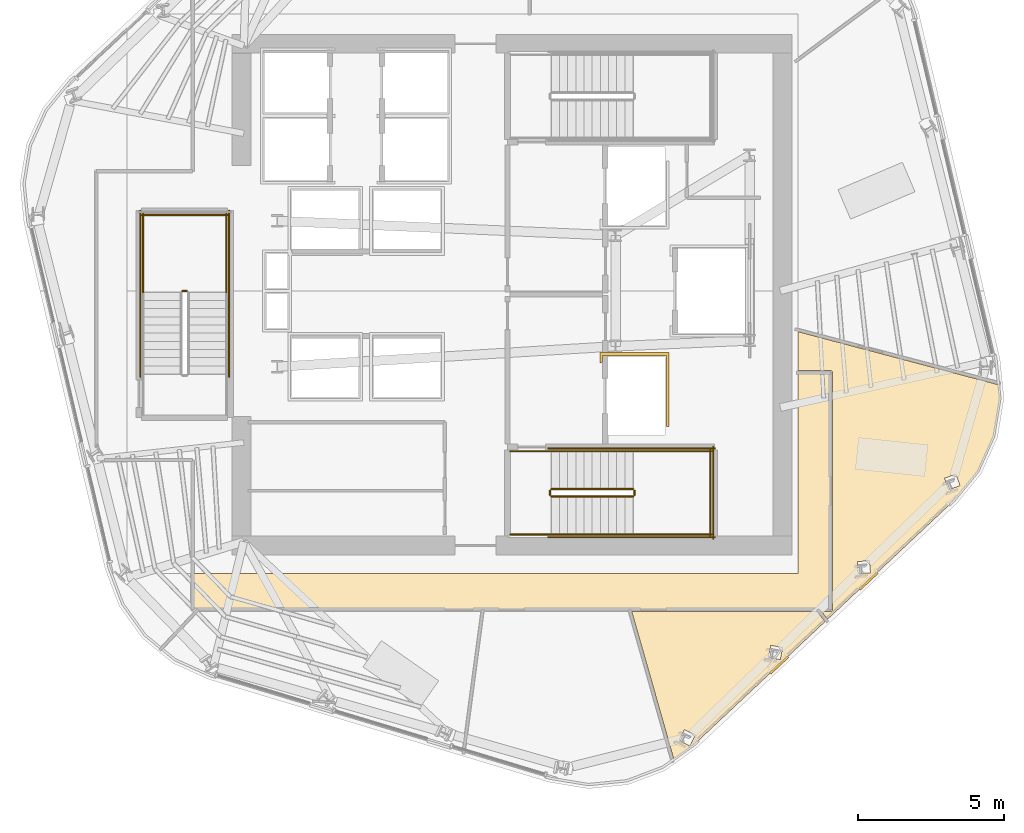
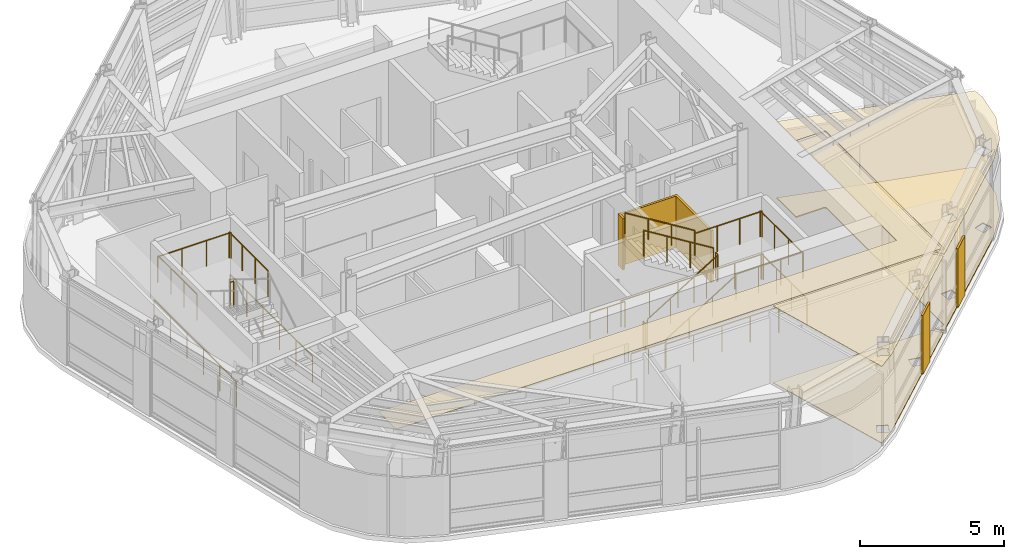
# One storey, part 11 of 14: 20 railings, 8 coverings.
"""IFC4 building model written with IfcOpenShell, lengths in metres."""

from ifc_helpers import new_model, si_unit, direction, frame, origin, origin_2d, place, context, subcontext, project, spatial, polyline, circle, outline, extrude, material, layer, layer_set, type_object, element, save


model = new_model("IFC4")

# Units and contexts
model_context = context("Model", 3, precision=1e-05, world=origin(), true_north=direction((0.0, 1.0)))
body_context = subcontext(model_context, "Body", "Model", "MODEL_VIEW")
ifc_project = project(units=[si_unit("LENGTHUNIT", "METRE"), si_unit("AREAUNIT", "SQUARE_METRE"), si_unit("VOLUMEUNIT", "CUBIC_METRE"), si_unit("PLANEANGLEUNIT", "RADIAN"), si_unit("MASSUNIT", "GRAM", prefix="KILO")], contexts=[model_context])

# Site, building, storey
site_placement = place(None, origin())
site = spatial("IfcSite", under=ifc_project, at=site_placement, CompositionType="ELEMENT")
building_placement = place(site_placement, origin())
building = spatial("IfcBuilding", under=site, at=building_placement, Name="Valkerne Bourse Tower", CompositionType="ELEMENT")
storey_placement = place(building_placement, frame((0.0, 0.0, 209.39990234375)))
storey = spatial("IfcBuildingStorey", under=building, at=storey_placement, Name="L53", CompositionType="ELEMENT", Elevation=209.39990234375)

# Coverings
ifc_material_1 = material(Name="Mineral Fiber Acoustic Ceiling Tile", Category="acoustic")
ifc_layer_1 = layer(ifc_material_1, 0.02490234375)
ifc_layer_set_1 = layer_set([ifc_layer_1], Name="Mineral Fiber Acoustic Ceiling Tile")
covering_type_1 = type_object("IfcCoveringType", Name="COV-CEIL-ACT", PredefinedType="CEILING", material=ifc_layer_set_1)
covering_1_placement = place(storey_placement, frame((0.0, 0.0, 3.25)))
element("IfcCovering", 1, at=covering_1_placement, inside=storey, type_object=covering_type_1, Name="L53 Suspended Ceiling 04", PredefinedType="CEILING", context=body_context, shape_type="SweptSolid", body=[
    extrude(outline(polyline([(50.905029296875, 16.010986328125), (57.253662109375, 16.010986328125), (57.54052734375, 15.66162109375), (53.052734375, 11.447509765625), (52.34912109375, 10.941650390625), (50.905029296875, 16.010986328125)]), holes=[polyline([(53.08203125, 11.773193359375), (52.711669921875, 11.9521484375), (52.70947265625, 11.951171875), (52.5302734375, 11.578125), (52.900634765625, 11.399169921875), (52.90283203125, 11.39990234375), (53.08203125, 11.773193359375)]), polyline([(56.07958984375, 14.764404296875), (55.67578125, 14.843505859375), (55.673828125, 14.84228515625), (55.594970703125, 14.435791015625), (55.998779296875, 14.356689453125), (56.000732421875, 14.35791015625), (56.07958984375, 14.764404296875)])]), origin(), (0.0, 0.0, 1.0), 0.025146484375),
])
covering_2_placement = place(storey_placement, frame((0.0, 0.0, 3.25)))
element("IfcCovering", 2, at=covering_2_placement, inside=storey, type_object=covering_type_1, Name="L53 Suspended Ceiling 07", PredefinedType="CEILING", context=body_context, shape_type="SweptSolid", body=[
    extrude(outline(polyline([(62.77099609375, 20.811279296875), (61.92919921875, 19.782958984375), (57.626708984375, 15.74267578125), (57.406494140625, 16.010986328125), (57.73095703125, 16.01171875), (57.771728515625, 16.033935546875), (57.788818359375, 16.076416015625), (57.788330078125, 24.210205078125), (57.76611328125, 24.251708984375), (57.723388671875, 24.268798828125), (56.60009765625, 24.26904296875), (56.60009765625, 25.603271484375), (63.48095703125, 23.781494140625), (63.52734375, 23.31640625), (63.314208984375, 22.01416015625), (62.77099609375, 20.811279296875)]), holes=[polyline([(59.091552734375, 17.336181640625), (59.056884765625, 17.74853515625), (58.646728515625, 17.71484375), (58.645263671875, 17.713134765625), (58.679931640625, 17.30078125), (59.090087890625, 17.334228515625), (59.091552734375, 17.336181640625)]), polyline([(62.1630859375, 20.323486328125), (62.02490234375, 20.71337890625), (61.636962890625, 20.5771484375), (61.635986328125, 20.574951171875), (61.77392578125, 20.184814453125), (62.162109375, 20.3212890625), (62.1630859375, 20.323486328125)])]), origin(), (0.0, 0.0, 1.0), 0.025146484375),
])
ifc_material_2 = material(Name="Bronze Anodised Aluminium AA 6063-T6", Category="aluminium")
ifc_layer_2 = layer(ifc_material_2, 0.030029296875)
ifc_layer_set_2 = layer_set([ifc_layer_2], Name="Bronze Anodised Aluminium AA 6063-T6")
covering_type_2 = type_object("IfcCoveringType", Name="COV-CEIL-METAL", PredefinedType="CEILING", material=ifc_layer_set_2)
covering_3_placement = place(storey_placement, frame((0.0, 0.0, 3.25)))
element("IfcCovering", 3, at=covering_3_placement, inside=storey, type_object=covering_type_2, Name="L53 Suspended Ceiling 01", PredefinedType="CEILING", context=body_context, shape_type="SweptSolid", body=[
    extrude(outline(polyline([(35.85400390625, 17.300048828125), (56.60009765625, 17.300048828125), (56.60009765625, 24.196044921875), (57.716064453125, 24.196044921875), (57.716064453125, 16.083984375), (35.85400390625, 16.083984375), (35.85400390625, 17.300048828125)])), origin(), (0.0, 0.0, 1.0), 0.025146484375),
])
ifc_layer_3 = layer(ifc_material_2, 0.06005859375)
ifc_layer_set_3 = layer_set([ifc_layer_3], Name="Bronze Anodised Aluminium AA 6063-T6")
covering_type_3 = type_object("IfcCoveringType", Name="COV-CRN-ALUM", PredefinedType="CLADDING", material=ifc_layer_set_3)
covering_4_placement = place(storey_placement, origin())
element("IfcCovering", 4, at=covering_4_placement, inside=storey, type_object=covering_type_3, Name="L53 Wind-Shaped Corner Aluminium Cladding 02", PredefinedType="CLADDING", context=body_context, shape_type="SweptSolid", body=[
    extrude(outline(polyline([(58.750244140625, 16.7373046875), (58.6953125, 16.795654296875), (59.307861328125, 17.37060546875), (59.362548828125, 17.312255859375), (58.750244140625, 16.7373046875)])), origin(), (0.0, 0.0, 1.0), 2.5),
])
covering_5_placement = place(storey_placement, origin())
element("IfcCovering", 5, at=covering_5_placement, inside=storey, type_object=covering_type_3, Name="L53 Wind-Shaped Corner Aluminium Cladding 03", PredefinedType="CLADDING", context=body_context, shape_type="SweptSolid", body=[
    extrude(outline(polyline([(55.6796875, 13.85400390625), (55.625, 13.912109375), (56.2373046875, 14.4873046875), (56.2919921875, 14.428955078125), (55.6796875, 13.85400390625)])), origin(), (0.0, 0.0, 1.0), 2.5),
])
ifc_material_3 = material(Name="Galvanised Painted Steel", Category="steel")
ifc_layer_4 = layer(ifc_material_3, 0.044921875)
ifc_layer_set_4 = layer_set([ifc_layer_4], Name="Galvanised Painted Steel")
covering_type_4 = type_object("IfcCoveringType", Name="COV-FLR-RAF", PredefinedType="FLOORING", material=ifc_layer_set_4)
covering_6_placement = place(storey_placement, origin())
element("IfcCovering", 6, at=covering_6_placement, inside=storey, type_object=covering_type_4, Name="L53 Floor Finish 07", PredefinedType="FLOORING", context=body_context, shape_type="SweptSolid", body=[
    extrude(outline(polyline([(62.77099609375, 20.811279296875), (61.92919921875, 19.782958984375), (57.626708984375, 15.74267578125), (57.406494140625, 16.010986328125), (57.73095703125, 16.01171875), (57.771728515625, 16.033935546875), (57.788818359375, 16.076416015625), (57.788330078125, 24.210205078125), (57.76611328125, 24.251708984375), (57.723388671875, 24.268798828125), (56.60009765625, 24.26904296875), (56.60009765625, 25.603271484375), (63.48095703125, 23.781494140625), (63.52734375, 23.31640625), (63.314208984375, 22.01416015625), (62.77099609375, 20.811279296875)]), holes=[polyline([(59.091552734375, 17.336181640625), (59.056884765625, 17.74853515625), (58.646728515625, 17.71484375), (58.645263671875, 17.713134765625), (58.679931640625, 17.30078125), (59.090087890625, 17.334228515625), (59.091552734375, 17.336181640625)]), polyline([(62.1630859375, 20.323486328125), (62.02490234375, 20.71337890625), (61.636962890625, 20.5771484375), (61.635986328125, 20.574951171875), (61.77392578125, 20.184814453125), (62.162109375, 20.3212890625), (62.1630859375, 20.323486328125)])]), origin(), (0.0, 0.0, 1.0), 0.045166015625),
])
ifc_material_4 = material(Name="Polished Granite Stone", Category="masonry")
ifc_layer_5 = layer(ifc_material_4, 0.030029296875)
ifc_layer_set_5 = layer_set([ifc_layer_5], Name="Polished Granite Stone")
covering_type_5 = type_object("IfcCoveringType", Name="COV-FLR-TERRAZZO", PredefinedType="FLOORING", material=ifc_layer_set_5)
covering_7_placement = place(storey_placement, origin())
element("IfcCovering", 7, at=covering_7_placement, inside=storey, type_object=covering_type_5, Name="L53 Floor Finish 04", PredefinedType="FLOORING", context=body_context, shape_type="SweptSolid", body=[
    extrude(outline(polyline([(50.905029296875, 16.010986328125), (57.253662109375, 16.010986328125), (57.54052734375, 15.66162109375), (53.052734375, 11.447509765625), (52.34912109375, 10.941650390625), (50.905029296875, 16.010986328125)]), holes=[polyline([(53.08203125, 11.773193359375), (52.711669921875, 11.9521484375), (52.70947265625, 11.951171875), (52.5302734375, 11.578125), (52.900634765625, 11.399169921875), (52.90283203125, 11.39990234375), (53.08203125, 11.773193359375)]), polyline([(56.07958984375, 14.764404296875), (55.67578125, 14.843505859375), (55.673828125, 14.84228515625), (55.594970703125, 14.435791015625), (55.998779296875, 14.356689453125), (56.000732421875, 14.35791015625), (56.07958984375, 14.764404296875)])]), origin(), (0.0, 0.0, 1.0), 0.030029296875),
])
ifc_material_5 = material(Name="Gypsum Shaftwall Liner Board", Category="gypsum")
ifc_layer_6 = layer(ifc_material_5, 0.080078125)
ifc_layer_set_6 = layer_set([ifc_layer_6], Name="Gypsum Shaftwall Liner Board")
covering_type_6 = type_object("IfcCoveringType", Name="COV-SHF-CLAD", PredefinedType="CLADDING", material=ifc_layer_set_6)
covering_8_placement = place(storey_placement, origin())
element("IfcCovering", 8, at=covering_8_placement, inside=storey, type_object=covering_type_6, Name="L53 Hoistway & Riser Shaftwall Liner 05", PredefinedType="CLADDING", context=body_context, shape_type="SweptSolid", body=[
    extrude(outline(polyline([(52.179931640625, 22.35009765625), (52.090087890625, 22.35009765625), (52.090087890625, 24.7900390625), (49.909912109375, 24.7900390625), (49.909912109375, 24.560791015625), (49.869384765625, 24.550537109375), (49.827880859375, 24.53564453125), (49.820068359375, 24.531982421875), (49.820068359375, 24.8798828125), (52.179931640625, 24.8798828125), (52.179931640625, 22.35009765625)])), origin(), (0.0, 0.0, 1.0), 2.18017578125),
])

# Railings
railing_type_1 = type_object("IfcRailingType", Name="RLG-ST-GUARD-1120", PredefinedType="GUARDRAIL", material=ifc_material_3)
railing_1_placement = place(storey_placement, frame((48.14990234375, 19.949951171875, 0.1728515625)))
element("IfcRailing", 9, at=railing_1_placement, inside=storey, type_object=railing_type_1, Name="L53 ST-1 stair guard 1", PredefinedType="GUARDRAIL", context=body_context, shape_type="SweptSolid", body=[
    extrude(circle(Radius=0.02392578125, at=origin_2d()), frame((0.0, 0.0, 1.09619140625), z_axis=(0.851089632645, 0.0, 0.525020415988), x_axis=(0.0, 1.0, 0.0)), (0.0, 0.0, 1.0), 3.2900390625),
    extrude(circle(Radius=0.02099609375, at=origin_2d()), origin(), (0.0, 0.0, 1.0), 1.072021484375),
    extrude(circle(Radius=0.02099609375, at=origin_2d()), frame((0.933349609375, 0.0, 0.57568359375)), (0.0, 0.0, 1.0), 1.072021484375),
    extrude(circle(Radius=0.02099609375, at=origin_2d()), frame((1.86669921875, 0.0, 1.151611328125)), (0.0, 0.0, 1.0), 1.072021484375),
    extrude(circle(Radius=0.02099609375, at=origin_2d()), frame((2.800048828125, 0.0, 1.727294921875)), (0.0, 0.0, 1.0), 1.072021484375),
])
railing_2_placement = place(storey_placement, frame((51.0, 20.0, 1.900146484375)))
element("IfcRailing", 10, at=railing_2_placement, inside=storey, type_object=railing_type_1, Name="L53 ST-1 stair guard 2", PredefinedType="GUARDRAIL", context=body_context, shape_type="SweptSolid", body=[
    extrude(circle(Radius=0.02392578125, at=origin_2d()), frame((0.0, 0.0, 1.09619140625), z_axis=(0.0, 1.0, 0.0), x_axis=(-1.0, 0.0, 0.0)), (0.0, 0.0, 1.0), 0.14990234375),
    extrude(circle(Radius=0.02099609375, at=origin_2d()), origin(), (0.0, 0.0, 1.0), 1.072021484375),
    extrude(circle(Radius=0.02099609375, at=origin_2d()), frame((0.0, 0.14990234375, 0.0)), (0.0, 0.0, 1.0), 1.072021484375),
])
for number, where, name in (
    (11, (50.949951171875, 18.64990234375, 1.900146484375), "L53 ST-1 stair guard 3"),
    (12, (50.949951171875, 21.5, 1.900146484375), "L53 ST-1 stair guard 4"),
):
    element("IfcRailing", number, at=place(storey_placement, frame(where)), inside=storey, type_object=railing_type_1, Name=name, PredefinedType="GUARDRAIL", context=body_context, shape_type="SweptSolid", body=[
        extrude(circle(Radius=0.02392578125, at=origin_2d()), frame((0.0, 0.0, 1.09619140625), z_axis=(1.0, 0.0, 0.0), x_axis=(0.0, 1.0, 0.0)), (0.0, 0.0, 1.0), 2.699951171875),
        extrude(circle(Radius=0.02099609375, at=origin_2d()), origin(), (0.0, 0.0, 1.0), 1.072021484375),
        extrude(circle(Radius=0.02099609375, at=origin_2d()), frame((0.89990234375, 0.0, 0.0)), (0.0, 0.0, 1.0), 1.072021484375),
        extrude(circle(Radius=0.02099609375, at=origin_2d()), frame((1.800048828125, 0.0, 0.0)), (0.0, 0.0, 1.0), 1.072021484375),
        extrude(circle(Radius=0.02099609375, at=origin_2d()), frame((2.699951171875, 0.0, 0.0)), (0.0, 0.0, 1.0), 1.072021484375),
    ])
railing_3_placement = place(storey_placement, frame((53.60009765625, 18.60009765625, 1.900146484375)))
element("IfcRailing", 13, at=railing_3_placement, inside=storey, type_object=railing_type_1, Name="L53 ST-1 stair guard 5", PredefinedType="GUARDRAIL", context=body_context, shape_type="SweptSolid", body=[
    extrude(circle(Radius=0.02392578125, at=origin_2d()), frame((0.0, 0.0, 1.09619140625), z_axis=(0.0, 1.0, 0.0), x_axis=(-1.0, 0.0, 0.0)), (0.0, 0.0, 1.0), 2.949951171875),
    extrude(circle(Radius=0.02099609375, at=origin_2d()), origin(), (0.0, 0.0, 1.0), 1.072021484375),
    extrude(circle(Radius=0.02099609375, at=origin_2d()), frame((0.0, 0.9833984375, 0.0)), (0.0, 0.0, 1.0), 1.072021484375),
    extrude(circle(Radius=0.02099609375, at=origin_2d()), frame((0.0, 1.966552734375, 0.0)), (0.0, 0.0, 1.0), 1.072021484375),
    extrude(circle(Radius=0.02099609375, at=origin_2d()), frame((0.0, 2.949951171875, 0.0)), (0.0, 0.0, 1.0), 1.072021484375),
])
railing_4_placement = place(storey_placement, frame((50.949951171875, 20.199951171875, 2.07275390625)))
element("IfcRailing", 14, at=railing_4_placement, inside=storey, type_object=railing_type_1, Name="L53 ST-1 stair guard 6", PredefinedType="GUARDRAIL", context=body_context, shape_type="SweptSolid", body=[
    extrude(circle(Radius=0.02392578125, at=origin_2d()), frame((0.0, 0.0, 1.09619140625), z_axis=(-0.851089632645, 0.0, 0.525020415988), x_axis=(0.0, -1.0, 0.0)), (0.0, 0.0, 1.0), 3.2900390625),
    extrude(circle(Radius=0.02099609375, at=origin_2d()), origin(), (0.0, 0.0, 1.0), 1.072021484375),
    extrude(circle(Radius=0.02099609375, at=origin_2d()), frame((-0.933349609375, 0.0, 0.57568359375)), (0.0, 0.0, 1.0), 1.072021484375),
    extrude(circle(Radius=0.02099609375, at=origin_2d()), frame((-1.86669921875, 0.0, 1.151611328125)), (0.0, 0.0, 1.0), 1.072021484375),
    extrude(circle(Radius=0.02099609375, at=origin_2d()), frame((-2.800048828125, 0.0, 1.727294921875)), (0.0, 0.0, 1.0), 1.072021484375),
])
railing_5_placement = place(storey_placement, frame((48.10009765625, 20.0, 0.0)))
element("IfcRailing", 15, at=railing_5_placement, inside=storey, type_object=railing_type_1, Name="L53 ST-1 stair guard 7", PredefinedType="GUARDRAIL", context=body_context, shape_type="SweptSolid", body=[
    extrude(circle(Radius=0.02392578125, at=origin_2d()), frame((0.0, 0.0, 1.09619140625), z_axis=(0.0, 1.0, 0.0), x_axis=(-1.0, 0.0, 0.0)), (0.0, 0.0, 1.0), 0.14990234375),
    extrude(circle(Radius=0.02099609375, at=origin_2d()), origin(), (0.0, 0.0, 1.0), 1.072021484375),
    extrude(circle(Radius=0.02099609375, at=origin_2d()), frame((0.0, 0.14990234375, 0.0)), (0.0, 0.0, 1.0), 1.072021484375),
])
for number, where, name in (
    (16, (46.75, 18.64990234375, 0.0), "L53 ST-1 stair guard 8"),
    (17, (46.75, 21.5, 0.0), "L53 ST-1 stair guard 9"),
):
    element("IfcRailing", number, at=place(storey_placement, frame(where)), inside=storey, type_object=railing_type_1, Name=name, PredefinedType="GUARDRAIL", context=body_context, shape_type="SweptSolid", body=[
        extrude(circle(Radius=0.02392578125, at=origin_2d()), frame((0.0, 0.0, 1.09619140625), z_axis=(1.0, 0.0, 0.0), x_axis=(0.0, 1.0, 0.0)), (0.0, 0.0, 1.0), 1.39990234375),
        extrude(circle(Radius=0.02099609375, at=origin_2d()), origin(), (0.0, 0.0, 1.0), 1.072021484375),
        extrude(circle(Radius=0.02099609375, at=origin_2d()), frame((0.699951171875, 0.0, 0.0)), (0.0, 0.0, 1.0), 1.072021484375),
        extrude(circle(Radius=0.02099609375, at=origin_2d()), frame((1.39990234375, 0.0, 0.0)), (0.0, 0.0, 1.0), 1.072021484375),
    ])
for number, where, name in (
    (18, (48.050048828125, 18.550048828125, 0.0), "L53 ST-1 stair guard 10"),
    (19, (48.050048828125, 21.60009765625, 0.0), "L53 ST-1 stair guard 11"),
):
    element("IfcRailing", number, at=place(storey_placement, frame(where)), inside=storey, type_object=railing_type_1, Name=name, PredefinedType="GUARDRAIL", context=body_context, shape_type="SweptSolid", body=[
        extrude(circle(Radius=0.02392578125, at=origin_2d()), frame((0.0, 0.0, 1.09619140625), z_axis=(1.0, 0.0, 0.0), x_axis=(0.0, 1.0, 0.0)), (0.0, 0.0, 1.0), 5.699951171875),
        extrude(circle(Radius=0.02099609375, at=origin_2d()), origin(), (0.0, 0.0, 1.0), 1.072021484375),
        extrude(circle(Radius=0.02099609375, at=origin_2d()), frame((1.139892578125, 0.0, 0.0)), (0.0, 0.0, 1.0), 1.072021484375),
        extrude(circle(Radius=0.02099609375, at=origin_2d()), frame((2.280029296875, 0.0, 0.0)), (0.0, 0.0, 1.0), 1.072021484375),
        extrude(circle(Radius=0.02099609375, at=origin_2d()), frame((3.419921875, 0.0, 0.0)), (0.0, 0.0, 1.0), 1.072021484375),
        extrude(circle(Radius=0.02099609375, at=origin_2d()), frame((4.56005859375, 0.0, 0.0)), (0.0, 0.0, 1.0), 1.072021484375),
        extrude(circle(Radius=0.02099609375, at=origin_2d()), frame((5.699951171875, 0.0, 0.0)), (0.0, 0.0, 1.0), 1.072021484375),
    ])
railing_6_placement = place(storey_placement, frame((53.699951171875, 18.5, 0.0)))
element("IfcRailing", 20, at=railing_6_placement, inside=storey, type_object=railing_type_1, Name="L53 ST-1 stair guard 12", PredefinedType="GUARDRAIL", context=body_context, shape_type="SweptSolid", body=[
    extrude(circle(Radius=0.02392578125, at=origin_2d()), frame((0.0, 0.0, 1.09619140625), z_axis=(0.0, 1.0, 0.0), x_axis=(-1.0, 0.0, 0.0)), (0.0, 0.0, 1.0), 3.14990234375),
    extrude(circle(Radius=0.02099609375, at=origin_2d()), origin(), (0.0, 0.0, 1.0), 1.072021484375),
    extrude(circle(Radius=0.02099609375, at=origin_2d()), frame((0.0, 1.050048828125, 0.0)), (0.0, 0.0, 1.0), 1.072021484375),
    extrude(circle(Radius=0.02099609375, at=origin_2d()), frame((0.0, 2.099853515625, 0.0)), (0.0, 0.0, 1.0), 1.072021484375),
    extrude(circle(Radius=0.02099609375, at=origin_2d()), frame((0.0, 3.14990234375, 0.0)), (0.0, 0.0, 1.0), 1.072021484375),
])
railing_7_placement = place(storey_placement, frame((35.64990234375, 27.0, 1.900146484375)))
element("IfcRailing", 21, at=railing_7_placement, inside=storey, type_object=railing_type_1, Name="L53 ST-3 stair guard 2", PredefinedType="GUARDRAIL", context=body_context, shape_type="SweptSolid", body=[
    extrude(circle(Radius=0.02392578125, at=origin_2d()), frame((0.0, 0.0, 1.09619140625), z_axis=(-1.0, 0.0, 0.0), x_axis=(0.0, -1.0, 0.0)), (0.0, 0.0, 1.0), 0.14990234375),
    extrude(circle(Radius=0.02099609375, at=origin_2d()), origin(), (0.0, 0.0, 1.0), 1.072021484375),
    extrude(circle(Radius=0.02099609375, at=origin_2d()), frame((-0.14990234375, 0.0, 0.0)), (0.0, 0.0, 1.0), 1.072021484375),
])
for number, where, name in (
    (22, (37.0, 26.949951171875, 1.900146484375), "L53 ST-3 stair guard 3"),
    (23, (34.14990234375, 26.949951171875, 1.900146484375), "L53 ST-3 stair guard 4"),
):
    element("IfcRailing", number, at=place(storey_placement, frame(where)), inside=storey, type_object=railing_type_1, Name=name, PredefinedType="GUARDRAIL", context=body_context, shape_type="SweptSolid", body=[
        extrude(circle(Radius=0.02392578125, at=origin_2d()), frame((0.0, 0.0, 1.09619140625), z_axis=(0.0, 1.0, 0.0), x_axis=(-1.0, 0.0, 0.0)), (0.0, 0.0, 1.0), 2.699951171875),
        extrude(circle(Radius=0.02099609375, at=origin_2d()), origin(), (0.0, 0.0, 1.0), 1.072021484375),
        extrude(circle(Radius=0.02099609375, at=origin_2d()), frame((0.0, 0.89990234375, 0.0)), (0.0, 0.0, 1.0), 1.072021484375),
        extrude(circle(Radius=0.02099609375, at=origin_2d()), frame((0.0, 1.800048828125, 0.0)), (0.0, 0.0, 1.0), 1.072021484375),
        extrude(circle(Radius=0.02099609375, at=origin_2d()), frame((0.0, 2.699951171875, 0.0)), (0.0, 0.0, 1.0), 1.072021484375),
    ])
railing_8_placement = place(storey_placement, frame((37.050048828125, 29.60009765625, 1.900146484375)))
element("IfcRailing", 24, at=railing_8_placement, inside=storey, type_object=railing_type_1, Name="L53 ST-3 stair guard 5", PredefinedType="GUARDRAIL", context=body_context, shape_type="SweptSolid", body=[
    extrude(circle(Radius=0.02392578125, at=origin_2d()), frame((0.0, 0.0, 1.09619140625), z_axis=(-1.0, 0.0, 0.0), x_axis=(0.0, -1.0, 0.0)), (0.0, 0.0, 1.0), 2.949951171875),
    extrude(circle(Radius=0.02099609375, at=origin_2d()), origin(), (0.0, 0.0, 1.0), 1.072021484375),
    extrude(circle(Radius=0.02099609375, at=origin_2d()), frame((-0.9833984375, 0.0, 0.0)), (0.0, 0.0, 1.0), 1.072021484375),
    extrude(circle(Radius=0.02099609375, at=origin_2d()), frame((-1.966552734375, 0.0, 0.0)), (0.0, 0.0, 1.0), 1.072021484375),
    extrude(circle(Radius=0.02099609375, at=origin_2d()), frame((-2.949951171875, 0.0, 0.0)), (0.0, 0.0, 1.0), 1.072021484375),
])
for number, where, name in (
    (25, (37.10009765625, 24.050048828125, 0.0), "L53 ST-3 stair guard 10"),
    (26, (34.050048828125, 24.050048828125, 0.0), "L53 ST-3 stair guard 11"),
):
    element("IfcRailing", number, at=place(storey_placement, frame(where)), inside=storey, type_object=railing_type_1, Name=name, PredefinedType="GUARDRAIL", context=body_context, shape_type="SweptSolid", body=[
        extrude(circle(Radius=0.02392578125, at=origin_2d()), frame((0.0, 0.0, 1.09619140625), z_axis=(0.0, 1.0, 0.0), x_axis=(-1.0, 0.0, 0.0)), (0.0, 0.0, 1.0), 5.699951171875),
        extrude(circle(Radius=0.02099609375, at=origin_2d()), origin(), (0.0, 0.0, 1.0), 1.072021484375),
        extrude(circle(Radius=0.02099609375, at=origin_2d()), frame((0.0, 1.139892578125, 0.0)), (0.0, 0.0, 1.0), 1.072021484375),
        extrude(circle(Radius=0.02099609375, at=origin_2d()), frame((0.0, 2.280029296875, 0.0)), (0.0, 0.0, 1.0), 1.072021484375),
        extrude(circle(Radius=0.02099609375, at=origin_2d()), frame((0.0, 3.419921875, 0.0)), (0.0, 0.0, 1.0), 1.072021484375),
        extrude(circle(Radius=0.02099609375, at=origin_2d()), frame((0.0, 4.56005859375, 0.0)), (0.0, 0.0, 1.0), 1.072021484375),
        extrude(circle(Radius=0.02099609375, at=origin_2d()), frame((0.0, 5.699951171875, 0.0)), (0.0, 0.0, 1.0), 1.072021484375),
    ])
ifc_material_6 = material(Name="Stainless Steel AISI 316", Category="steel")
railing_type_2 = type_object("IfcRailingType", Name="RLG-ST-HANDRAIL-900", PredefinedType="HANDRAIL", material=ifc_material_6)
railing_9_placement = place(storey_placement, frame((48.14990234375, 18.64990234375, 0.345458984375)))
element("IfcRailing", 27, at=railing_9_placement, inside=storey, type_object=railing_type_2, Name="L53 ST-1 stair handrail 1", PredefinedType="HANDRAIL", context=body_context, shape_type="SweptSolid", body=[
    extrude(circle(Radius=0.02392578125, at=origin_2d()), frame((0.0, 0.0, 0.8759765625), z_axis=(0.851089632645, 0.0, 0.525020415988), x_axis=(0.0, 1.0, 0.0)), (0.0, 0.0, 1.0), 3.2900390625),
    extrude(circle(Radius=0.02099609375, at=origin_2d()), origin(), (0.0, 0.0, 1.0), 0.851806640625),
    extrude(circle(Radius=0.02099609375, at=origin_2d()), frame((0.933349609375, 0.0, 0.57568359375)), (0.0, 0.0, 1.0), 0.851806640625),
    extrude(circle(Radius=0.02099609375, at=origin_2d()), frame((1.86669921875, 0.0, 1.151611328125)), (0.0, 0.0, 1.0), 0.851806640625),
    extrude(circle(Radius=0.02099609375, at=origin_2d()), frame((2.800048828125, 0.0, 1.727294921875)), (0.0, 0.0, 1.0), 0.851806640625),
])
railing_10_placement = place(storey_placement, frame((50.949951171875, 21.5, 2.24560546875)))
element("IfcRailing", 28, at=railing_10_placement, inside=storey, type_object=railing_type_2, Name="L53 ST-1 stair handrail 2", PredefinedType="HANDRAIL", context=body_context, shape_type="SweptSolid", body=[
    extrude(circle(Radius=0.02392578125, at=origin_2d()), frame((0.0, 0.0, 0.8759765625), z_axis=(-0.851089632645, 0.0, 0.525020415988), x_axis=(0.0, -1.0, 0.0)), (0.0, 0.0, 1.0), 3.2900390625),
    extrude(circle(Radius=0.02099609375, at=origin_2d()), origin(), (0.0, 0.0, 1.0), 0.851806640625),
    extrude(circle(Radius=0.02099609375, at=origin_2d()), frame((-0.933349609375, 0.0, 0.57568359375)), (0.0, 0.0, 1.0), 0.851806640625),
    extrude(circle(Radius=0.02099609375, at=origin_2d()), frame((-1.86669921875, 0.0, 1.151611328125)), (0.0, 0.0, 1.0), 0.851806640625),
    extrude(circle(Radius=0.02099609375, at=origin_2d()), frame((-2.800048828125, 0.0, 1.727294921875)), (0.0, 0.0, 1.0), 0.851806640625),
])

save(model, "model.ifc")
